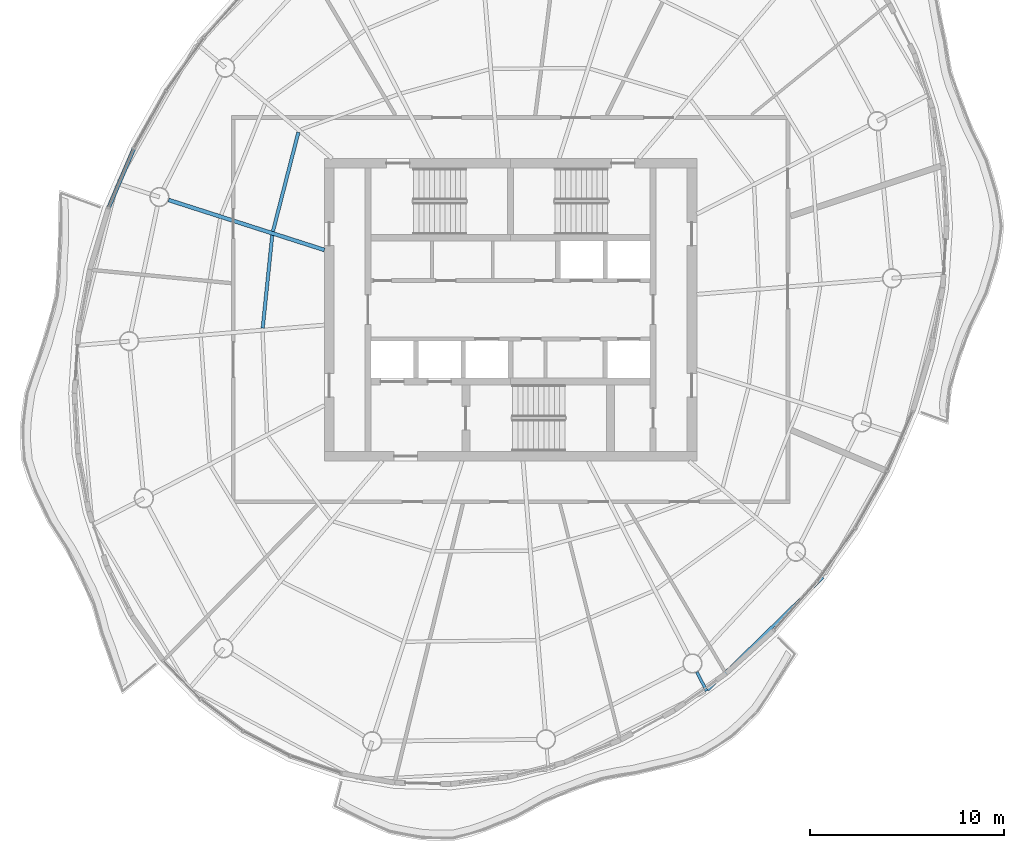
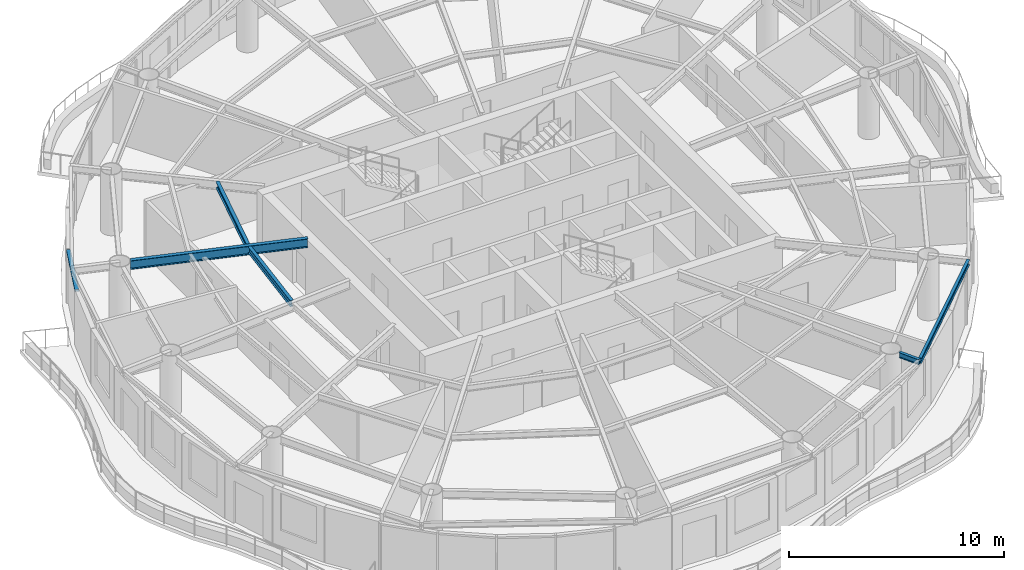
# One storey, part 3 of 14: 5 beams, 1 member, 1 element without a shape of its own.
"""IFC4 building model written with IfcOpenShell, lengths in metres."""

from ifc_helpers import new_model, si_unit, direction, frame, origin, origin_2d, place, context, subcontext, project, spatial, rectangle, i_section, extrude, material, material_profile, profile_set, type_object, element, aggregate, save


model = new_model("IFC4")

# Units and contexts
model_context = context("Model", 3, precision=1e-05, world=origin(), true_north=direction((0.0, 1.0)))
body_context = subcontext(model_context, "Body", "Model", "MODEL_VIEW")
ifc_project = project(units=[si_unit("LENGTHUNIT", "METRE"), si_unit("AREAUNIT", "SQUARE_METRE"), si_unit("VOLUMEUNIT", "CUBIC_METRE"), si_unit("PLANEANGLEUNIT", "RADIAN"), si_unit("MASSUNIT", "GRAM", prefix="KILO")], contexts=[model_context])

# Site, building, storey
site_placement = place(None, origin())
site = spatial("IfcSite", under=ifc_project, at=site_placement, CompositionType="ELEMENT")
building_placement = place(site_placement, origin())
building = spatial("IfcBuilding", under=site, at=building_placement, Name="Vermilion Reach Broadcast Tower", CompositionType="ELEMENT")
storey_placement = place(building_placement, frame((0.0, 0.0, 264.89990234375)))
storey = spatial("IfcBuildingStorey", under=building, at=storey_placement, Name="L65", CompositionType="ELEMENT", Elevation=264.89990234375)

# Beams
ifc_material_1 = material(Name="Steel S355J2", Category="steel")
ifc_material_profile_1 = material_profile(ifc_material_1, i_section(OverallWidth=0.14990234375, OverallDepth=0.300048828125, WebThickness=0.006591796875, FlangeThickness=0.009033203125, at=origin_2d()), Name="S355J2 HN 300x150x6.5x9")
ifc_profile_set_1 = profile_set([ifc_material_profile_1], Name="Steel S355J2")
beam_type_1 = type_object("IfcBeamType", Name="EB5 HN 300x150x6.5x9", PredefinedType="BEAM", material=ifc_profile_set_1)
beam_1_placement = place(storey_placement, frame((4.161376953125, -19.599365234375, 3.300048828125), z_axis=(0.715279586672, 0.698838402559, 0.0), x_axis=(-0.698838402559, 0.715279586672, 0.0)))
element("IfcBeam", 1, at=beam_1_placement, inside=storey, type_object=beam_type_1, Name="Edge beam EB5-11", PredefinedType="BEAM", context=body_context, shape_type="SweptSolid", body=[
    extrude(i_section(OverallWidth=0.14990234375, OverallDepth=0.300048828125, WebThickness=0.006591796875, FlangeThickness=0.009033203125, at=origin_2d()), origin(), (0.0, 0.0, 1.0), 8.315673828125),
])
ifc_material_2 = material(Name="Steel S355J2", Category="steel")
ifc_material_profile_2 = material_profile(ifc_material_2, i_section(OverallWidth=0.199951171875, OverallDepth=0.5, WebThickness=0.010009765625, FlangeThickness=0.01611328125, at=origin_2d()), Name="S355J2 HN 500x200x10x16")
ifc_profile_set_2 = profile_set([ifc_material_profile_2], Name="Steel S355J2")
beam_type_2 = type_object("IfcBeamType", Name="G5 HN 500x200x10x16", PredefinedType="BEAM", material=ifc_profile_set_2)
beam_2_placement = place(storey_placement, frame((-15.60009765625, 3.080322265625, 3.2001953125), z_axis=(-0.952178453449, 0.305542456604, 0.0), x_axis=(-0.305542456604, -0.952178453449, 0.0)))
element("IfcBeam", 2, at=beam_2_placement, inside=storey, type_object=beam_type_2, Name="Girder G5-05", PredefinedType="BEAM", context=body_context, shape_type="SweptSolid", body=[
    extrude(i_section(OverallWidth=0.199951171875, OverallDepth=0.5, WebThickness=0.010009765625, FlangeThickness=0.01611328125, at=origin_2d()), origin(), (0.0, 0.0, 1.0), 8.43310546875),
])
ifc_material_3 = material(Name="Steel S355J2", Category="steel")
ifc_material_profile_3 = material_profile(ifc_material_3, i_section(OverallWidth=0.14990234375, OverallDepth=0.300048828125, WebThickness=0.006591796875, FlangeThickness=0.009033203125, at=origin_2d()), Name="S355J2 HN 300x150x6.5x9")
ifc_profile_set_3 = profile_set([ifc_material_profile_3], Name="Steel S355J2")
beam_type_3 = type_object("IfcBeamType", Name="GS5 HN 300x150x6.5x9", PredefinedType="BEAM", material=ifc_profile_set_3)
beam_3_placement = place(storey_placement, frame((3.60546875, -18.682373046875, 3.300048828125), z_axis=(0.457282392828, -0.889321546579, 0.0), x_axis=(0.889321546579, 0.457282392828, 0.0)))
element("IfcBeam", 3, at=beam_3_placement, inside=storey, type_object=beam_type_3, Name="Cantilever stub GS5-11", PredefinedType="BEAM", context=body_context, shape_type="SweptSolid", body=[
    extrude(i_section(OverallWidth=0.14990234375, OverallDepth=0.300048828125, WebThickness=0.006591796875, FlangeThickness=0.009033203125, at=origin_2d()), origin(), (0.0, 0.0, 1.0), 1.0927734375),
])
ifc_material_4 = material(Name="Steel S355J2", Category="steel")
ifc_material_profile_4 = material_profile(ifc_material_4, i_section(OverallWidth=0.175048828125, OverallDepth=0.35009765625, WebThickness=0.007080078125, FlangeThickness=0.010986328125, at=origin_2d()), Name="S355J2 HN 350x175x7x11")
ifc_profile_set_4 = profile_set([ifc_material_profile_4], Name="Steel S355J2")
beam_type_4 = type_object("IfcBeamType", Name="SB5 HN 350x175x7x11", PredefinedType="BEAM", material=ifc_profile_set_4)
beam_4_placement = place(storey_placement, frame((-16.940185546875, 9.1435546875, 3.275146484375), z_axis=(-0.248729575729, -0.968572969971, 0.0), x_axis=(0.968572969971, -0.248729575729, 0.0)))
element("IfcBeam", 4, at=beam_4_placement, inside=storey, type_object=beam_type_4, Name="Secondary beam SB5-04-1", PredefinedType="BEAM", context=body_context, shape_type="SweptSolid", body=[
    extrude(i_section(OverallWidth=0.175048828125, OverallDepth=0.35009765625, WebThickness=0.007080078125, FlangeThickness=0.010986328125, at=origin_2d()), origin(), (0.0, 0.0, 1.0), 5.27294921875),
])
beam_5_placement = place(storey_placement, frame((-18.287109375, 3.837646484375, 3.275146484375), z_axis=(-0.102113775264, -0.994772726255, 0.0), x_axis=(0.994772726255, -0.102113775264, 0.0)))
element("IfcBeam", 5, at=beam_5_placement, inside=storey, type_object=beam_type_4, Name="Secondary beam SB5-05-1", PredefinedType="BEAM", context=body_context, shape_type="SweptSolid", body=[
    extrude(i_section(OverallWidth=0.175048828125, OverallDepth=0.35009765625, WebThickness=0.007080078125, FlangeThickness=0.010986328125, at=origin_2d()), origin(), (0.0, 0.0, 1.0), 4.815185546875),
])

# Curtain wall, member
ifc_material_5 = material(Name="Low-e laminated clear glass in aluminium frame", Category="aluminium")
curtain_wall_type = type_object("IfcCurtainWallType", Name="Slot curtain wall", PredefinedType="NOTDEFINED", material=ifc_material_5)
curtain_wall_placement = place(storey_placement, origin())
curtain_wall = element("IfcCurtainWall", 6, at=curtain_wall_placement, inside=storey, type_object=curtain_wall_type, Name="Slot curtain wall L65 13", PredefinedType="NOTDEFINED")
ifc_material_6 = material(Name="Anodised aluminium", Category="aluminium")
ifc_material_profile_5 = material_profile(ifc_material_6, rectangle(XDim=0.199951171875, YDim=0.10009765625, at=origin_2d()), Name="Slot transom 200 x 100")
ifc_profile_set_5 = profile_set([ifc_material_profile_5], Name="Anodised aluminium")
member_type = type_object("IfcMemberType", Name="Slot transom 200 x 100", PredefinedType="USERDEFINED", material=ifc_profile_set_5)
member_placement = place(storey_placement, frame((-25.42626953125, 8.294921875, 3.0), z_axis=(-0.392982404562, -0.919545991077, 0.0), x_axis=(0.919545991077, -0.392982404562, 0.0)))
member = element("IfcMember", 7, at=member_placement, type_object=member_type, Name="Slot transom L65 13.1", ObjectType="TRANSOM", PredefinedType="USERDEFINED", context=body_context, shape_type="SweptSolid", body=[
    extrude(rectangle(XDim=0.199951171875, YDim=0.10009765625, at=origin_2d()), origin(), (0.0, 0.0, 1.0), 3.271484375),
])
aggregate(curtain_wall, [member])

save(model, "model.ifc")
